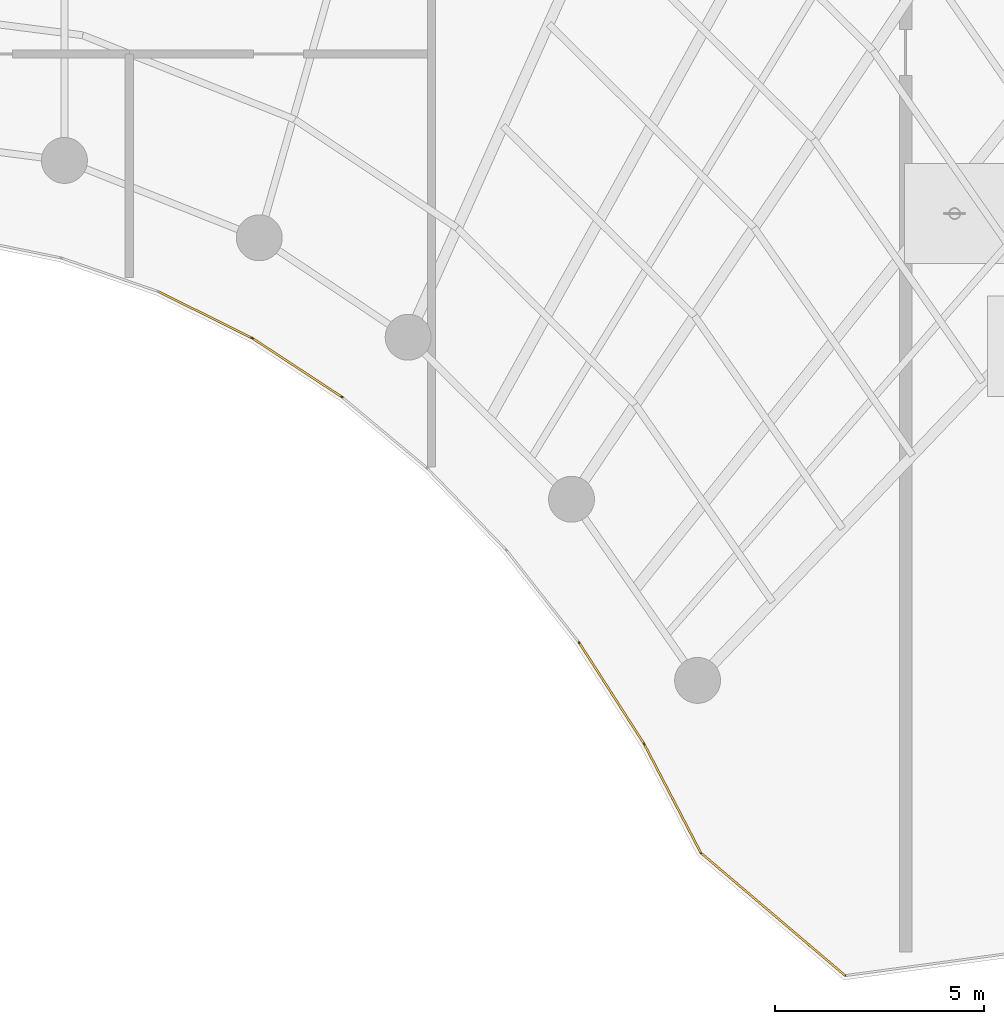
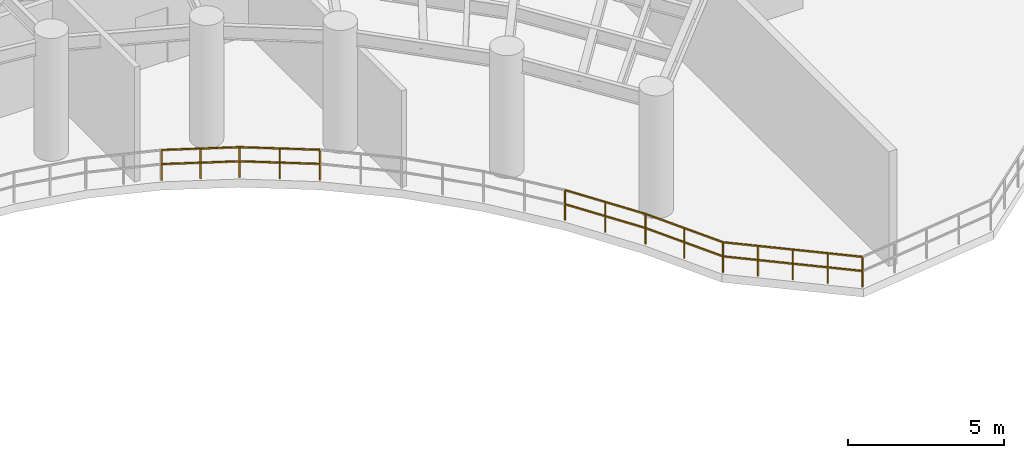
# One storey, part 18 of 24: 9 railings.
"""IFC4 building model written with IfcOpenShell, lengths in metres."""

import ifcopenshell
import ifcopenshell.guid

model = None  # the IFC model being written
_history = None  # IfcOwnerHistory: only IFC2X3 demands one
_inside = {}  # id of a spatial element -> (the spatial element, [elements in it])
_under = {}  # id of a project, library or spatial element -> (it, [spatial elements below it])
_declared = {}  # id of a project -> (the project, [libraries it declares])
_typed = {}  # id of a type object -> (the type object, [elements of that type])
_made_of = {}  # id of a material, layer set ... -> (it, [elements and type objects made of it])


def new_model(schema):
    """Start an empty IFC model of exactly this schema.

    Asked for "IFC4X3", IfcOpenShell would pick the latest addendum, in which some entities
    have other attributes; the version numbers below select the first issue.
    IFC2X3 requires an IfcOwnerHistory on every rooted entity: one is made here for all.
    """
    global model, _history
    if schema == "IFC4X3":
        model = ifcopenshell.file(schema_version=(4, 3, 0, 0))
    else:
        model = ifcopenshell.file(schema=schema)
    _inside.clear()
    _under.clear()
    _declared.clear()
    _typed.clear()
    _made_of.clear()
    _history = None
    if model.schema == "IFC2X3":
        org = make("IfcOrganization", Name="unknown")
        user = make(
            "IfcPersonAndOrganization",
            ThePerson=make("IfcPerson", FamilyName="unknown"),
            TheOrganization=org,
        )
        app = make(
            "IfcApplication",
            ApplicationDeveloper=org,
            Version="unknown",
            ApplicationFullName="unknown",
            ApplicationIdentifier="unknown",
        )
        _history = make(
            "IfcOwnerHistory",
            OwningUser=user,
            OwningApplication=app,
            ChangeAction="ADDED",
            CreationDate=0,
        )
    return model


def make(cls, **values):
    """One entity of the class cls with the attributes given. An attribute that is None is left unset."""
    return model.create_entity(
        cls, **{name: value for name, value in values.items() if value is not None}
    )


def rooted(cls, **values):
    """An entity with a GlobalId (a new one), such as an element, a storey or a relation."""
    return make(cls, GlobalId=ifcopenshell.guid.new(), OwnerHistory=_history, **values)


def si_unit(unit_type, name, prefix=None):
    """IfcSIUnit, for example si_unit("LENGTHUNIT", "METRE", prefix="MILLI")."""
    return make("IfcSIUnit", UnitType=unit_type, Prefix=prefix, Name=name)


def assignment(units):
    """IfcUnitAssignment: the units of a project."""
    return None if units is None else make("IfcUnitAssignment", Units=units)


def point(xyz):
    """IfcCartesianPoint."""
    return None if xyz is None else make("IfcCartesianPoint", Coordinates=xyz)


def direction(xyz):
    """IfcDirection."""
    return None if xyz is None else make("IfcDirection", DirectionRatios=xyz)


def frame(location, z_axis=None, x_axis=None):
    """IfcAxis2Placement3D, a coordinate frame: its origin and axes. An axis left out is left unset."""
    return make(
        "IfcAxis2Placement3D",
        Location=point(location),
        Axis=direction(z_axis),
        RefDirection=direction(x_axis),
    )


def frame_2d(location, x_axis=None):
    """IfcAxis2Placement2D, a coordinate frame in the plane: its origin and x axis."""
    return make(
        "IfcAxis2Placement2D", Location=point(location), RefDirection=direction(x_axis)
    )


def origin():
    """The frame at (0, 0, 0) with its axes left unset."""
    return frame((0.0, 0.0, 0.0))


def origin_2d():
    """The frame at (0, 0) in the plane with its x axis left unset."""
    return frame_2d((0.0, 0.0))


def place(relative_to, where):
    """IfcLocalPlacement: puts the frame where relative to a parent placement (None: the world)."""
    return make(
        "IfcLocalPlacement", PlacementRelTo=relative_to, RelativePlacement=where
    )


def context(
    kind, dimensions, precision=None, world=None, true_north=None, identifier=None
):
    """IfcGeometricRepresentationContext, for example the 3D "Model" context."""
    return make(
        "IfcGeometricRepresentationContext",
        ContextIdentifier=identifier,
        ContextType=kind,
        CoordinateSpaceDimension=dimensions,
        Precision=precision,
        WorldCoordinateSystem=world,
        TrueNorth=true_north,
    )


def subcontext(parent, identifier, kind, view, scale=None):
    """IfcGeometricRepresentationSubContext, for example "Body" below "Model"."""
    return make(
        "IfcGeometricRepresentationSubContext",
        ContextIdentifier=identifier,
        ContextType=kind,
        ParentContext=parent,
        TargetScale=scale,
        TargetView=view,
    )


def project(units=None, contexts=None):
    """IfcProject with its units and contexts."""
    return rooted(
        "IfcProject",
        Name="project",
        RepresentationContexts=contexts,
        UnitsInContext=assignment(units),
    )


def spatial(cls, under=None, at=None, **own):
    """A site, building, storey or space (cls), placed at a placement, below another one or the project."""
    s = rooted(cls, ObjectPlacement=at, **own)
    if under is not None:
        _under.setdefault(under.id(), (under, []))[1].append(s)
    return s


def profile(cls, at=None, kind="AREA", **sizes):
    """A parametric profile (cls). Its sizes go by their IFC names, for example OverallWidth=200.0."""
    return make(cls, ProfileType=kind, Position=at, **sizes)


def rectangle(**sizes):
    """IfcRectangleProfileDef."""
    return profile("IfcRectangleProfileDef", **sizes)


def extrude(swept, where, along, depth):
    """IfcExtrudedAreaSolid: the profile swept, set in the frame where, extruded along a direction by depth."""
    return make(
        "IfcExtrudedAreaSolid",
        SweptArea=swept,
        Position=where,
        ExtrudedDirection=direction(along),
        Depth=depth,
    )


def shape(context_of_items, identifier, shape_type, items):
    """IfcShapeRepresentation: the items that make up one representation, for example the "Body"."""
    return make(
        "IfcShapeRepresentation",
        ContextOfItems=context_of_items,
        RepresentationIdentifier=identifier,
        RepresentationType=shape_type,
        Items=items,
    )


def material(Name=None, Category=None):
    """IfcMaterial."""
    return make("IfcMaterial", Name=Name, Category=Category)


def made_of(thing, what):
    """Note that an element or type object is made of a material, layer set ...; save() writes the relation."""
    if what is not None:
        _made_of.setdefault(what.id(), (what, []))[1].append(thing)
    return thing


def type_object(cls, material=None, **own):
    """A type object (cls), such as IfcWallType, which elements share."""
    return made_of(rooted(cls, **own), material)


def element(
    cls,
    number,
    at=None,
    inside=None,
    cuts=None,
    type_object=None,
    material=None,
    context=None,
    identifier="Body",
    shape_type=None,
    held_by="IfcProductDefinitionShape",
    body=None,
    shapes=None,
    **own,
):
    """One element of the class cls, such as IfcWall. Its Tag is "e" and its number.

    at: its placement. inside: the storey or other place that contains it. cuts: it is an
    opening in that element (IfcRelVoidsElement). A single representation is given by context,
    identifier, shape_type and body (its items); several are given by shapes. held_by: the class
    of the entity that holds the representations. save() writes the other relations.
    """
    e = rooted(cls, Tag="e%d" % number, ObjectPlacement=at, **own)
    if body is not None:
        shapes = [shape(context, identifier, shape_type, body)]
    if shapes is not None:
        e.Representation = make(held_by, Representations=shapes)
    if inside is not None:
        _inside.setdefault(inside.id(), (inside, []))[1].append(e)
    if cuts is not None:
        rooted(
            "IfcRelVoidsElement", RelatingBuildingElement=cuts, RelatedOpeningElement=e
        )
    if type_object is not None:
        _typed.setdefault(type_object.id(), (type_object, []))[1].append(e)
    return made_of(e, material)


def aggregate(whole, parts):
    """IfcRelAggregates: a whole, such as a stair, and the parts it consists of."""
    return rooted("IfcRelAggregates", RelatingObject=whole, RelatedObjects=parts)


def save(model, path):
    """Write the relations noted so far, then the file.

    IfcRelAggregates (storeys below a building ...), IfcRelContainedInSpatialStructure (elements
    in a storey), IfcRelDefinesByType, IfcRelAssociatesMaterial and IfcRelDeclares: one each for
    every whole, place, type object, material and project.
    """
    for whole, parts in _under.values():
        aggregate(whole, parts)
    for where, things in _inside.values():
        rooted(
            "IfcRelContainedInSpatialStructure",
            RelatedElements=things,
            RelatingStructure=where,
        )
    for kind, things in _typed.values():
        rooted("IfcRelDefinesByType", RelatedObjects=things, RelatingType=kind)
    for what, things in _made_of.values():
        rooted("IfcRelAssociatesMaterial", RelatedObjects=things, RelatingMaterial=what)
    for by, libraries in _declared.values():
        rooted("IfcRelDeclares", RelatingContext=by, RelatedDefinitions=libraries)
    model.write(path)


model = new_model("IFC4")

# Units and contexts
model_context = context("Model", 3, precision=1e-05, world=origin(), true_north=direction((0.0, 1.0)))
body_context = subcontext(model_context, "Body", "Model", "MODEL_VIEW")
ifc_project = project(units=[si_unit("LENGTHUNIT", "METRE"), si_unit("AREAUNIT", "SQUARE_METRE"), si_unit("VOLUMEUNIT", "CUBIC_METRE"), si_unit("PLANEANGLEUNIT", "RADIAN"), si_unit("MASSUNIT", "GRAM", prefix="KILO")], contexts=[model_context])

# Site, building, storey
site_placement = place(None, origin())
site = spatial("IfcSite", under=ifc_project, at=site_placement, CompositionType="ELEMENT")
building_placement = place(site_placement, origin())
building = spatial("IfcBuilding", under=site, at=building_placement, Name="Breltana Convention Tower", CompositionType="ELEMENT")
storey_placement = place(building_placement, frame((0.0, 0.0, 189.60009765625)))
storey = spatial("IfcBuildingStorey", under=building, at=storey_placement, Name="L46", CompositionType="ELEMENT", Elevation=189.60009765625)

# Railings
ifc_material = material(Name="Stainless Steel 316L", Category="steel")
railing_type = type_object("IfcRailingType", Name="RL-WIND-GUARD-1200", PredefinedType="BALUSTRADE", material=ifc_material)
railing_1_placement = place(storey_placement, frame((71.552001953125, 35.881591796875, 0.0)))
element("IfcRailing", 1, at=railing_1_placement, inside=storey, type_object=railing_type, Name="L46 perimeter balustrade 5", PredefinedType="BALUSTRADE", context=body_context, shape_type="SweptSolid", body=[
    extrude(rectangle(XDim=0.048095703125, YDim=0.048095703125, at=origin_2d()), frame((0.0, 0.0, 1.17578125), z_axis=(-0.761888889081, 0.647707743273, 0.0), x_axis=(-0.647707743273, -0.761888889081, 0.0)), (0.0, 0.0, 1.0), 4.539306640625),
    extrude(rectangle(XDim=0.048095703125, YDim=0.048095703125, at=origin_2d()), frame((0.0, 0.0, 0.6240234375), z_axis=(-0.761888889081, 0.647707743273, 0.0), x_axis=(-0.647707743273, -0.761888889081, 0.0)), (0.0, 0.0, 1.0), 4.539306640625),
    extrude(rectangle(XDim=0.0419921875, YDim=0.0419921875, at=origin_2d()), origin(), (0.0, 0.0, 1.0), 1.15185546875),
    extrude(rectangle(XDim=0.0419921875, YDim=0.0419921875, at=origin_2d()), frame((-0.86474609375, 0.735107421875, 0.0)), (0.0, 0.0, 1.0), 1.15185546875),
    extrude(rectangle(XDim=0.0419921875, YDim=0.0419921875, at=origin_2d()), frame((-1.729248046875, 1.47021484375, 0.0)), (0.0, 0.0, 1.0), 1.15185546875),
    extrude(rectangle(XDim=0.0419921875, YDim=0.0419921875, at=origin_2d()), frame((-2.59375, 2.205078125, 0.0)), (0.0, 0.0, 1.0), 1.15185546875),
    extrude(rectangle(XDim=0.0419921875, YDim=0.0419921875, at=origin_2d()), frame((-3.45849609375, 2.940185546875, 0.0)), (0.0, 0.0, 1.0), 1.15185546875),
])
railing_2_placement = place(storey_placement, frame((68.093505859375, 38.82177734375, 0.0)))
element("IfcRailing", 2, at=railing_2_placement, inside=storey, type_object=railing_type, Name="L46 perimeter balustrade 6", PredefinedType="BALUSTRADE", context=body_context, shape_type="SweptSolid", body=[
    extrude(rectangle(XDim=0.048095703125, YDim=0.048095703125, at=origin_2d()), frame((0.0, 0.0, 1.17578125), z_axis=(-0.461773777633, 0.886997732968, 0.0), x_axis=(-0.886997732968, -0.461773777633, 0.0)), (0.0, 0.0, 1.0), 2.93896484375),
    extrude(rectangle(XDim=0.048095703125, YDim=0.048095703125, at=origin_2d()), frame((0.0, 0.0, 0.6240234375), z_axis=(-0.461773777633, 0.886997732968, 0.0), x_axis=(-0.886997732968, -0.461773777633, 0.0)), (0.0, 0.0, 1.0), 2.93896484375),
    extrude(rectangle(XDim=0.0419921875, YDim=0.0419921875, at=origin_2d()), origin(), (0.0, 0.0, 1.0), 1.15185546875),
    extrude(rectangle(XDim=0.0419921875, YDim=0.0419921875, at=origin_2d()), frame((-0.6787109375, 1.303466796875, 0.0)), (0.0, 0.0, 1.0), 1.15185546875),
    extrude(rectangle(XDim=0.0419921875, YDim=0.0419921875, at=origin_2d()), frame((-1.357177734375, 2.60693359375, 0.0)), (0.0, 0.0, 1.0), 1.15185546875),
])
railing_3_placement = place(storey_placement, frame((66.736328125, 41.4287109375, 0.0)))
element("IfcRailing", 3, at=railing_3_placement, inside=storey, type_object=railing_type, Name="L46 perimeter balustrade 7", PredefinedType="BALUSTRADE", context=body_context, shape_type="SweptSolid", body=[
    extrude(rectangle(XDim=0.048095703125, YDim=0.048095703125, at=origin_2d()), frame((0.0, 0.0, 1.17578125), z_axis=(-0.490261239633, 0.871575537125, 0.0), x_axis=(-0.871575537125, -0.490261239633, 0.0)), (0.0, 0.0, 1.0), 0.009033203125),
    extrude(rectangle(XDim=0.048095703125, YDim=0.048095703125, at=origin_2d()), frame((0.0, 0.0, 0.6240234375), z_axis=(-0.490261239633, 0.871575537125, 0.0), x_axis=(-0.871575537125, -0.490261239633, 0.0)), (0.0, 0.0, 1.0), 0.009033203125),
    extrude(rectangle(XDim=0.0419921875, YDim=0.0419921875, at=origin_2d()), origin(), (0.0, 0.0, 1.0), 1.15185546875),
    extrude(rectangle(XDim=0.0419921875, YDim=0.0419921875, at=origin_2d()), frame((-0.00439453125, 0.0078125, 0.0)), (0.0, 0.0, 1.0), 1.15185546875),
])
railing_4_placement = place(storey_placement, frame((66.73193359375, 41.4365234375, 0.0)))
element("IfcRailing", 4, at=railing_4_placement, inside=storey, type_object=railing_type, Name="L46 perimeter balustrade 8", PredefinedType="BALUSTRADE", context=body_context, shape_type="SweptSolid", body=[
    extrude(rectangle(XDim=0.048095703125, YDim=0.048095703125, at=origin_2d()), frame((0.0, 0.0, 1.17578125), z_axis=(-0.540153919995, 0.841566243806, 0.0), x_axis=(-0.841566243806, -0.540153919995, 0.0)), (0.0, 0.0, 1.0), 2.8828125),
    extrude(rectangle(XDim=0.048095703125, YDim=0.048095703125, at=origin_2d()), frame((0.0, 0.0, 0.6240234375), z_axis=(-0.540153919995, 0.841566243806, 0.0), x_axis=(-0.841566243806, -0.540153919995, 0.0)), (0.0, 0.0, 1.0), 2.8828125),
    extrude(rectangle(XDim=0.0419921875, YDim=0.0419921875, at=origin_2d()), origin(), (0.0, 0.0, 1.0), 1.15185546875),
    extrude(rectangle(XDim=0.0419921875, YDim=0.0419921875, at=origin_2d()), frame((-0.778564453125, 1.212890625, 0.0)), (0.0, 0.0, 1.0), 1.15185546875),
    extrude(rectangle(XDim=0.0419921875, YDim=0.0419921875, at=origin_2d()), frame((-1.55712890625, 2.426025390625, 0.0)), (0.0, 0.0, 1.0), 1.15185546875),
])
railing_5_placement = place(storey_placement, frame((65.1748046875, 43.862548828125, 0.0)))
element("IfcRailing", 5, at=railing_5_placement, inside=storey, type_object=railing_type, Name="L46 perimeter balustrade 9", PredefinedType="BALUSTRADE", context=body_context, shape_type="SweptSolid", body=[
    extrude(rectangle(XDim=0.048095703125, YDim=0.048095703125, at=origin_2d()), frame((0.0, 0.0, 1.17578125), z_axis=(-0.583636048153, 0.812015371343, 0.0), x_axis=(-0.812015371343, -0.583636048153, 0.0)), (0.0, 0.0, 1.0), 0.009521484375),
    extrude(rectangle(XDim=0.048095703125, YDim=0.048095703125, at=origin_2d()), frame((0.0, 0.0, 0.6240234375), z_axis=(-0.583636048153, 0.812015371343, 0.0), x_axis=(-0.812015371343, -0.583636048153, 0.0)), (0.0, 0.0, 1.0), 0.009521484375),
    extrude(rectangle(XDim=0.0419921875, YDim=0.0419921875, at=origin_2d()), origin(), (0.0, 0.0, 1.0), 1.15185546875),
    extrude(rectangle(XDim=0.0419921875, YDim=0.0419921875, at=origin_2d()), frame((-0.005615234375, 0.0078125, 0.0)), (0.0, 0.0, 1.0), 1.15185546875),
])
railing_6_placement = place(storey_placement, frame((59.505615234375, 49.73583984375, 0.0)))
element("IfcRailing", 6, at=railing_6_placement, inside=storey, type_object=railing_type, Name="L46 perimeter balustrade 15", PredefinedType="BALUSTRADE", context=body_context, shape_type="SweptSolid", body=[
    extrude(rectangle(XDim=0.048095703125, YDim=0.048095703125, at=origin_2d()), frame((0.0, 0.0, 1.17578125), z_axis=(-0.805055837353, 0.59319903805, 0.0), x_axis=(-0.59319903805, -0.805055837353, 0.0)), (0.0, 0.0, 1.0), 0.011474609375),
    extrude(rectangle(XDim=0.048095703125, YDim=0.048095703125, at=origin_2d()), frame((0.0, 0.0, 0.6240234375), z_axis=(-0.805055837353, 0.59319903805, 0.0), x_axis=(-0.59319903805, -0.805055837353, 0.0)), (0.0, 0.0, 1.0), 0.011474609375),
    extrude(rectangle(XDim=0.0419921875, YDim=0.0419921875, at=origin_2d()), origin(), (0.0, 0.0, 1.0), 1.15185546875),
    extrude(rectangle(XDim=0.0419921875, YDim=0.0419921875, at=origin_2d()), frame((-0.00927734375, 0.0068359375, 0.0)), (0.0, 0.0, 1.0), 1.15185546875),
])
railing_7_placement = place(storey_placement, frame((59.496337890625, 49.74267578125, 0.0)))
element("IfcRailing", 7, at=railing_7_placement, inside=storey, type_object=railing_type, Name="L46 perimeter balustrade 16", PredefinedType="BALUSTRADE", context=body_context, shape_type="SweptSolid", body=[
    extrude(rectangle(XDim=0.048095703125, YDim=0.048095703125, at=origin_2d()), frame((0.0, 0.0, 1.17578125), z_axis=(-0.835982422009, 0.548756221005, 0.0), x_axis=(-0.548756221005, -0.835982422009, 0.0)), (0.0, 0.0, 1.0), 2.565185546875),
    extrude(rectangle(XDim=0.048095703125, YDim=0.048095703125, at=origin_2d()), frame((0.0, 0.0, 0.6240234375), z_axis=(-0.835982422009, 0.548756221005, 0.0), x_axis=(-0.548756221005, -0.835982422009, 0.0)), (0.0, 0.0, 1.0), 2.565185546875),
    extrude(rectangle(XDim=0.0419921875, YDim=0.0419921875, at=origin_2d()), origin(), (0.0, 0.0, 1.0), 1.15185546875),
    extrude(rectangle(XDim=0.0419921875, YDim=0.0419921875, at=origin_2d()), frame((-1.072265625, 0.703857421875, 0.0)), (0.0, 0.0, 1.0), 1.15185546875),
    extrude(rectangle(XDim=0.0419921875, YDim=0.0419921875, at=origin_2d()), frame((-2.14453125, 1.40771484375, 0.0)), (0.0, 0.0, 1.0), 1.15185546875),
])
railing_8_placement = place(storey_placement, frame((57.351806640625, 51.150390625, 0.0)))
element("IfcRailing", 8, at=railing_8_placement, inside=storey, type_object=railing_type, Name="L46 perimeter balustrade 17", PredefinedType="BALUSTRADE", context=body_context, shape_type="SweptSolid", body=[
    extrude(rectangle(XDim=0.048095703125, YDim=0.048095703125, at=origin_2d()), frame((0.0, 0.0, 1.17578125), z_axis=(-0.873197702015, 0.487366159264, 0.0), x_axis=(-0.487366159264, -0.873197702015, 0.0)), (0.0, 0.0, 1.0), 0.011962890625),
    extrude(rectangle(XDim=0.048095703125, YDim=0.048095703125, at=origin_2d()), frame((0.0, 0.0, 0.6240234375), z_axis=(-0.873197702015, 0.487366159264, 0.0), x_axis=(-0.487366159264, -0.873197702015, 0.0)), (0.0, 0.0, 1.0), 0.011962890625),
    extrude(rectangle(XDim=0.0419921875, YDim=0.0419921875, at=origin_2d()), origin(), (0.0, 0.0, 1.0), 1.15185546875),
    extrude(rectangle(XDim=0.0419921875, YDim=0.0419921875, at=origin_2d()), frame((-0.010498046875, 0.005859375, 0.0)), (0.0, 0.0, 1.0), 1.15185546875),
])
railing_9_placement = place(storey_placement, frame((57.34130859375, 51.15625, 0.0)))
element("IfcRailing", 9, at=railing_9_placement, inside=storey, type_object=railing_type, Name="L46 perimeter balustrade 18", PredefinedType="BALUSTRADE", context=body_context, shape_type="SweptSolid", body=[
    extrude(rectangle(XDim=0.048095703125, YDim=0.048095703125, at=origin_2d()), frame((0.0, 0.0, 1.17578125), z_axis=(-0.895926249068, 0.444202832308, 0.0), x_axis=(-0.444202832308, -0.895926249068, 0.0)), (0.0, 0.0, 1.0), 2.499755859375),
    extrude(rectangle(XDim=0.048095703125, YDim=0.048095703125, at=origin_2d()), frame((0.0, 0.0, 0.6240234375), z_axis=(-0.895926249068, 0.444202832308, 0.0), x_axis=(-0.444202832308, -0.895926249068, 0.0)), (0.0, 0.0, 1.0), 2.499755859375),
    extrude(rectangle(XDim=0.0419921875, YDim=0.0419921875, at=origin_2d()), origin(), (0.0, 0.0, 1.0), 1.15185546875),
    extrude(rectangle(XDim=0.0419921875, YDim=0.0419921875, at=origin_2d()), frame((-1.11962890625, 0.55517578125, 0.0)), (0.0, 0.0, 1.0), 1.15185546875),
    extrude(rectangle(XDim=0.0419921875, YDim=0.0419921875, at=origin_2d()), frame((-2.239501953125, 1.1103515625, 0.0)), (0.0, 0.0, 1.0), 1.15185546875),
])

save(model, "model.ifc")
